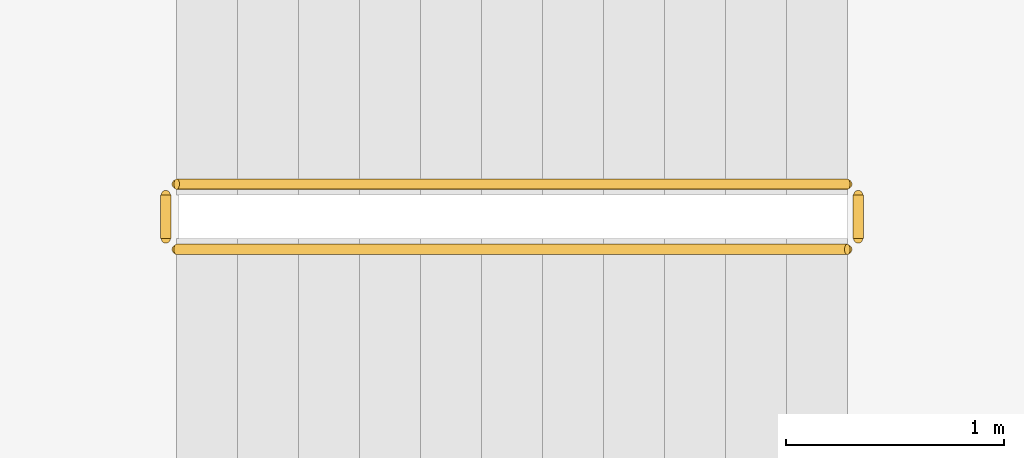
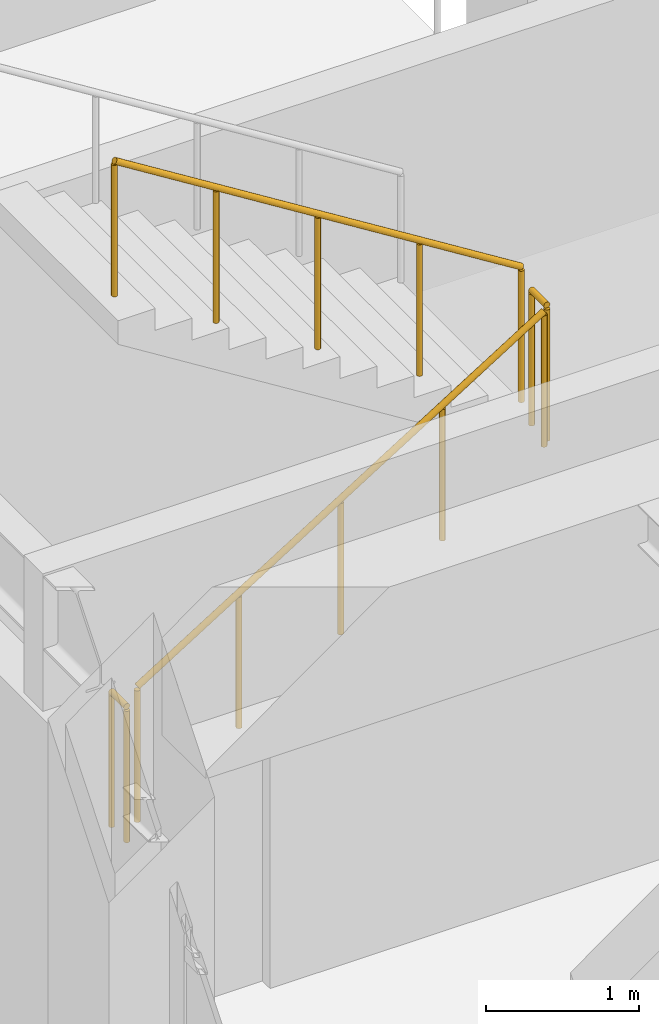
# One storey, part 114 of 124: 4 railings.
"""IFC4 building model written with IfcOpenShell, lengths in metres."""

from ifc_helpers import new_model, si_unit, direction, frame, origin, origin_2d, place, context, subcontext, project, spatial, circle, extrude, material, layer, layer_set, type_object, element, save


model = new_model("IFC4")

# Units and contexts
model_context = context("Model", 3, precision=1e-05, world=origin(), true_north=direction((0.0, 1.0)))
body_context = subcontext(model_context, "Body", "Model", "MODEL_VIEW")
ifc_project = project(units=[si_unit("LENGTHUNIT", "METRE"), si_unit("AREAUNIT", "SQUARE_METRE"), si_unit("VOLUMEUNIT", "CUBIC_METRE"), si_unit("PLANEANGLEUNIT", "RADIAN"), si_unit("MASSUNIT", "GRAM", prefix="KILO")], contexts=[model_context])

# Site, building, storey
site_placement = place(None, origin())
site = spatial("IfcSite", under=ifc_project, at=site_placement, CompositionType="ELEMENT")
building_placement = place(site_placement, origin())
building = spatial("IfcBuilding", under=site, at=building_placement, Name="Qasida Concert Hall", CompositionType="ELEMENT")
storey_placement = place(building_placement, frame((0.0, 0.0, 9.0)))
storey = spatial("IfcBuildingStorey", under=building, at=storey_placement, Name="L02", CompositionType="ELEMENT", Elevation=9.0)

# Railings
ifc_material = material(Name="Patinated architectural bronze and laminated glass infill", Category="glass")
ifc_layer = layer(ifc_material, 0.080078125, Name="Patinated architectural bronze and laminated glass infill")
ifc_layer_set = layer_set([ifc_layer], Name="Patinated architectural bronze and laminated glass infill")
railing_type = type_object("IfcRailingType", Name="RL-GRD-1100", PredefinedType="GUARDRAIL", material=ifc_layer_set)
railing_1_placement = place(storey_placement, frame((54.179931640625, 62.830078125, 0.175048828125)))
element("IfcRailing", 1, at=railing_1_placement, inside=storey, type_object=railing_type, Name="L02 ST-11 stair guard 1", PredefinedType="GUARDRAIL", context=body_context, shape_type="SweptSolid", body=[
    extrude(circle(Radius=0.02392578125, at=origin_2d()), frame((0.0, 0.0, 1.076171875), z_axis=(0.847998304005, 0.0, 0.529998940003), x_axis=(0.0, 1.0, 0.0)), (0.0, 0.0, 1.0), 3.632080078125),
    extrude(circle(Radius=0.02099609375, at=origin_2d()), origin(), (0.0, 0.0, 1.0), 1.052001953125),
    extrude(circle(Radius=0.02099609375, at=origin_2d()), frame((0.77001953125, 0.0, 0.481201171875)), (0.0, 0.0, 1.0), 1.052001953125),
    extrude(circle(Radius=0.02099609375, at=origin_2d()), frame((1.5400390625, 0.0, 0.96240234375)), (0.0, 0.0, 1.0), 1.052001953125),
    extrude(circle(Radius=0.02099609375, at=origin_2d()), frame((2.31005859375, 0.0, 1.44384765625)), (0.0, 0.0, 1.0), 1.052001953125),
    extrude(circle(Radius=0.02099609375, at=origin_2d()), frame((3.080078125, 0.0, 1.925048828125)), (0.0, 0.0, 1.0), 1.052001953125),
])
railing_2_placement = place(storey_placement, frame((57.31005859375, 62.8798828125, 2.10009765625)))
element("IfcRailing", 2, at=railing_2_placement, inside=storey, type_object=railing_type, Name="L02 ST-11 stair guard 2", PredefinedType="GUARDRAIL", context=body_context, shape_type="SweptSolid", body=[
    extrude(circle(Radius=0.02392578125, at=origin_2d()), frame((0.0, 0.0, 1.076171875), z_axis=(0.0, 1.0, 0.0), x_axis=(-1.0, 0.0, 0.0)), (0.0, 0.0, 1.0), 0.2001953125),
    extrude(circle(Radius=0.02099609375, at=origin_2d()), origin(), (0.0, 0.0, 1.0), 1.052001953125),
    extrude(circle(Radius=0.02099609375, at=origin_2d()), frame((0.0, 0.2001953125, 0.0)), (0.0, 0.0, 1.0), 1.052001953125),
])
railing_3_placement = place(storey_placement, frame((57.260009765625, 63.1298828125, 2.27490234375)))
element("IfcRailing", 3, at=railing_3_placement, inside=storey, type_object=railing_type, Name="L02 ST-11 stair guard 3", PredefinedType="GUARDRAIL", context=body_context, shape_type="SweptSolid", body=[
    extrude(circle(Radius=0.02392578125, at=origin_2d()), frame((0.0, 0.0, 1.076171875), z_axis=(-0.847998304005, 0.0, 0.529998940003), x_axis=(0.0, -1.0, 0.0)), (0.0, 0.0, 1.0), 3.632080078125),
    extrude(circle(Radius=0.02099609375, at=origin_2d()), origin(), (0.0, 0.0, 1.0), 1.052001953125),
    extrude(circle(Radius=0.02099609375, at=origin_2d()), frame((-0.77001953125, 0.0, 0.481201171875)), (0.0, 0.0, 1.0), 1.052001953125),
    extrude(circle(Radius=0.02099609375, at=origin_2d()), frame((-1.5400390625, 0.0, 0.96240234375)), (0.0, 0.0, 1.0), 1.052001953125),
    extrude(circle(Radius=0.02099609375, at=origin_2d()), frame((-2.31005859375, 0.0, 1.44384765625)), (0.0, 0.0, 1.0), 1.052001953125),
    extrude(circle(Radius=0.02099609375, at=origin_2d()), frame((-3.080078125, 0.0, 1.925048828125)), (0.0, 0.0, 1.0), 1.052001953125),
])
railing_4_placement = place(storey_placement, frame((54.1298828125, 62.8798828125, 0.0)))
element("IfcRailing", 4, at=railing_4_placement, inside=storey, type_object=railing_type, Name="L02 ST-11 stair guard 4", PredefinedType="GUARDRAIL", context=body_context, shape_type="SweptSolid", body=[
    extrude(circle(Radius=0.02392578125, at=origin_2d()), frame((0.0, 0.0, 1.076171875), z_axis=(0.0, 1.0, 0.0), x_axis=(-1.0, 0.0, 0.0)), (0.0, 0.0, 1.0), 0.2001953125),
    extrude(circle(Radius=0.02099609375, at=origin_2d()), origin(), (0.0, 0.0, 1.0), 1.052001953125),
    extrude(circle(Radius=0.02099609375, at=origin_2d()), frame((0.0, 0.2001953125, 0.0)), (0.0, 0.0, 1.0), 1.052001953125),
])

save(model, "model.ifc")
